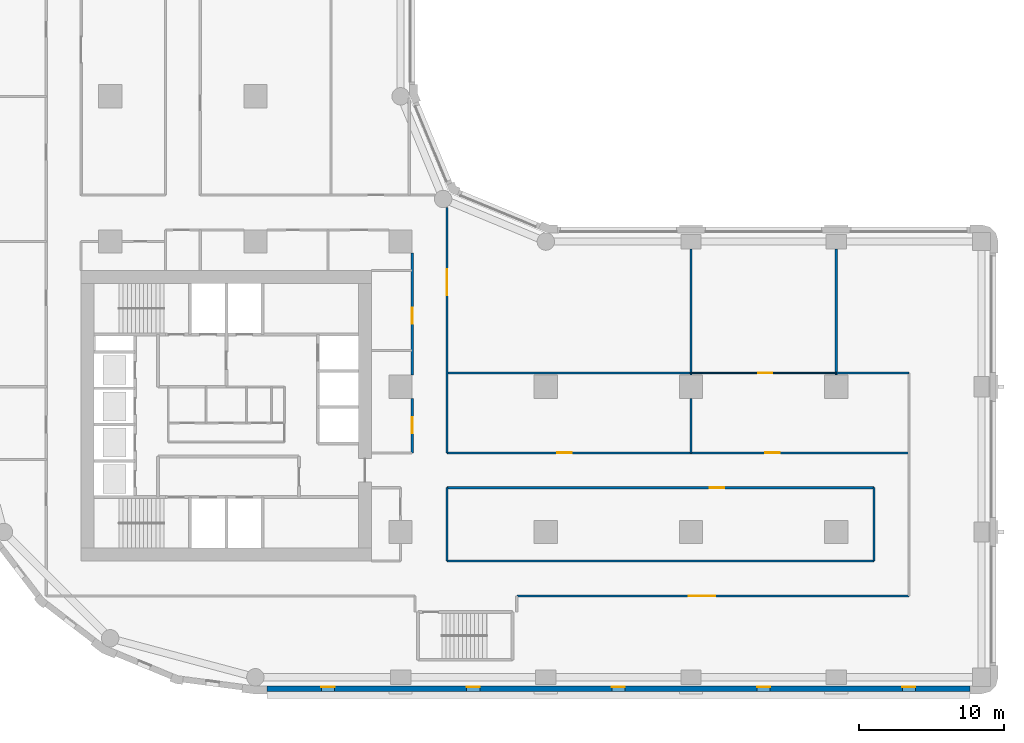
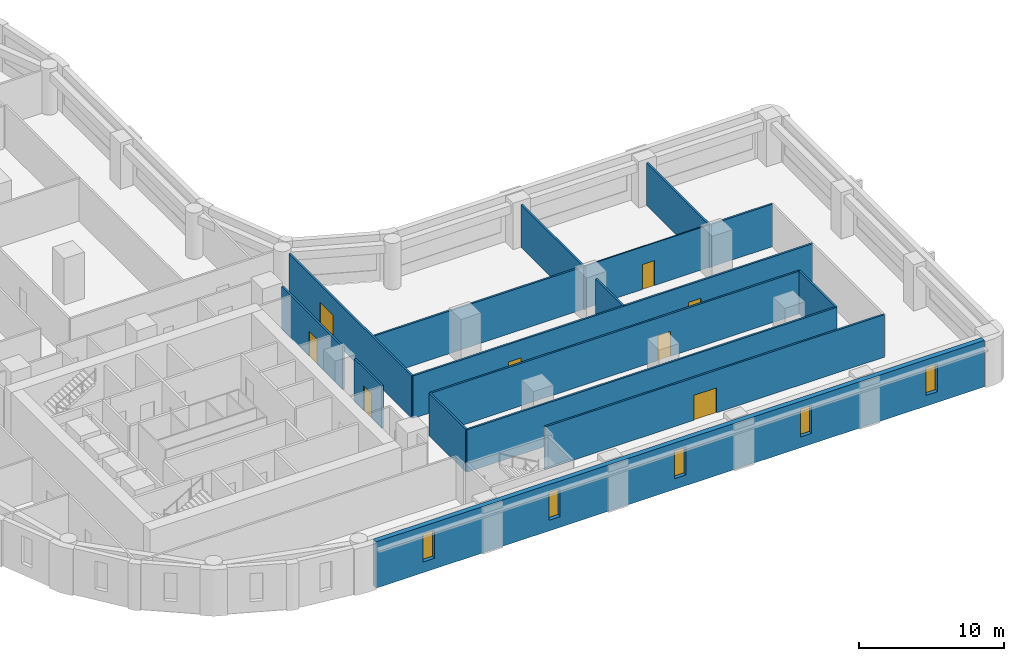
# One storey, part 4 of 10: 16 walls, 8 doors, 5 windows, 13 openings.
"""IFC4 building model written with IfcOpenShell, lengths in metres."""

from ifc_helpers import new_model, si_unit, direction, frame, frame_2d, origin, place, context, subcontext, project, spatial, rectangle, extrude, material, layer, layer_set, type_object, element, fill, save


model = new_model("IFC4")

# Units and contexts
model_context = context("Model", 3, precision=1e-05, world=origin(), true_north=direction((0.0, 1.0)))
body_context = subcontext(model_context, "Body", "Model", "MODEL_VIEW")
ifc_project = project(units=[si_unit("LENGTHUNIT", "METRE"), si_unit("AREAUNIT", "SQUARE_METRE"), si_unit("VOLUMEUNIT", "CUBIC_METRE"), si_unit("PLANEANGLEUNIT", "RADIAN"), si_unit("MASSUNIT", "GRAM", prefix="KILO")], contexts=[model_context])

# Site, building, storey
site_placement = place(None, origin())
site = spatial("IfcSite", under=ifc_project, at=site_placement, CompositionType="ELEMENT")
building_placement = place(site_placement, origin())
building = spatial("IfcBuilding", under=site, at=building_placement, Name="Qaws Garden Tower", CompositionType="ELEMENT")
storey_placement = place(building_placement, frame((0.0, 0.0, 12.0)))
storey = spatial("IfcBuildingStorey", under=building, at=storey_placement, Name="L02", CompositionType="ELEMENT", Elevation=12.0)

# Wall, openings, windows
ifc_material_1 = material(Name="Clay facing brick masonry", Category="masonry")
ifc_layer_1 = layer(ifc_material_1, 0.39990234375)
ifc_layer_set_1 = layer_set([ifc_layer_1], Name="Clay facing brick masonry")
wall_type_1 = type_object("IfcWallType", Name="Brick infill wall 400", PredefinedType="SOLIDWALL", material=ifc_layer_set_1)
wall_1_placement = place(storey_placement, frame((20.800048828125, -0.800048828125, 0.0), z_axis=(0.0, 0.0, 1.0), x_axis=(1.0, 0.0, 0.0)))
wall_1 = element("IfcWall", 1, at=wall_1_placement, inside=storey, type_object=wall_type_1, Name="E-L02-infill-00", PredefinedType="SOLIDWALL", context=body_context, shape_type="SweptSolid", body=[
    extrude(rectangle(XDim=48.39990234375, YDim=0.39990234375, at=frame_2d((24.199951171875, 0.0))), origin(), (0.0, 0.0, 1.0), 3.89990234375),
])
opening_1_placement = place(wall_1_placement, frame((3.75, 0.0, 0.89990234375)))
opening_1 = element("IfcOpeningElement", 2, at=opening_1_placement, cuts=wall_1, Name="Opening W09", PredefinedType="OPENING", context=body_context, shape_type="SweptSolid", body=[
    extrude(rectangle(XDim=0.89990234375, YDim=2.35009765625, at=frame_2d((0.449951171875, 1.175048828125))), frame((0.0, 0.2099609375, 0.0), z_axis=(0.0, -1.0, 0.0), x_axis=(1.0, 0.0, 0.0)), (0.0, 0.0, 1.0), 0.419921875),
])
opening_2_placement = place(wall_1_placement, frame((13.75, 0.0, 0.89990234375)))
opening_2 = element("IfcOpeningElement", 3, at=opening_2_placement, cuts=wall_1, Name="Opening W09", PredefinedType="OPENING", context=body_context, shape_type="SweptSolid", body=[
    extrude(rectangle(XDim=0.89990234375, YDim=2.35009765625, at=frame_2d((0.449951171875, 1.175048828125))), frame((0.0, 0.2099609375, 0.0), z_axis=(0.0, -1.0, 0.0), x_axis=(1.0, 0.0, 0.0)), (0.0, 0.0, 1.0), 0.419921875),
])
opening_3_placement = place(wall_1_placement, frame((23.75, 0.0, 0.89990234375)))
opening_3 = element("IfcOpeningElement", 4, at=opening_3_placement, cuts=wall_1, Name="Opening W09", PredefinedType="OPENING", context=body_context, shape_type="SweptSolid", body=[
    extrude(rectangle(XDim=0.89990234375, YDim=2.35009765625, at=frame_2d((0.449951171875, 1.175048828125))), frame((0.0, 0.2099609375, 0.0), z_axis=(0.0, -1.0, 0.0), x_axis=(1.0, 0.0, 0.0)), (0.0, 0.0, 1.0), 0.419921875),
])
opening_4_placement = place(wall_1_placement, frame((33.75, 0.0, 0.89990234375)))
opening_4 = element("IfcOpeningElement", 5, at=opening_4_placement, cuts=wall_1, Name="Opening W09", PredefinedType="OPENING", context=body_context, shape_type="SweptSolid", body=[
    extrude(rectangle(XDim=0.89990234375, YDim=2.35009765625, at=frame_2d((0.449951171875, 1.175048828125))), frame((0.0, 0.2099609375, 0.0), z_axis=(0.0, -1.0, 0.0), x_axis=(1.0, 0.0, 0.0)), (0.0, 0.0, 1.0), 0.419921875),
])
opening_5_placement = place(wall_1_placement, frame((43.75, 0.0, 0.89990234375)))
opening_5 = element("IfcOpeningElement", 6, at=opening_5_placement, cuts=wall_1, Name="Opening W09", PredefinedType="OPENING", context=body_context, shape_type="SweptSolid", body=[
    extrude(rectangle(XDim=0.89990234375, YDim=2.35009765625, at=frame_2d((0.449951171875, 1.175048828125))), frame((0.0, 0.2099609375, 0.0), z_axis=(0.0, -1.0, 0.0), x_axis=(1.0, 0.0, 0.0)), (0.0, 0.0, 1.0), 0.419921875),
])
ifc_material_2 = material(Name="Aluminium framed window, clear glazing", Category="aluminium")
window_type = type_object("IfcWindowType", Name="Slit window 900 x 2350", PartitioningType="SINGLE_PANEL", PredefinedType="WINDOW", material=ifc_material_2)
window_1_placement = place(opening_1_placement, origin())
window_1 = element("IfcWindow", 7, at=window_1_placement, inside=storey, type_object=window_type, Name="E-L02-window-00-0", OverallHeight=2.35009765625, OverallWidth=0.89990234375, PartitioningType="SINGLE_PANEL", PredefinedType="WINDOW", context=body_context, shape_type="SweptSolid", body=[
    extrude(rectangle(XDim=0.89990234375, YDim=2.35009765625, at=frame_2d((0.449951171875, 1.175048828125))), frame((0.0, 0.159912109375, 0.0), z_axis=(0.0, -1.0, 0.0), x_axis=(1.0, 0.0, 0.0)), (0.0, 0.0, 1.0), 0.06005859375),
])
fill(opening_1, window_1)
window_2_placement = place(opening_2_placement, origin())
window_2 = element("IfcWindow", 8, at=window_2_placement, inside=storey, type_object=window_type, Name="E-L02-window-01-0", OverallHeight=2.35009765625, OverallWidth=0.89990234375, PartitioningType="SINGLE_PANEL", PredefinedType="WINDOW", context=body_context, shape_type="SweptSolid", body=[
    extrude(rectangle(XDim=0.89990234375, YDim=2.35009765625, at=frame_2d((0.449951171875, 1.175048828125))), frame((0.0, 0.159912109375, 0.0), z_axis=(0.0, -1.0, 0.0), x_axis=(1.0, 0.0, 0.0)), (0.0, 0.0, 1.0), 0.06005859375),
])
fill(opening_2, window_2)
window_3_placement = place(opening_3_placement, origin())
window_3 = element("IfcWindow", 9, at=window_3_placement, inside=storey, type_object=window_type, Name="E-L02-window-02-0", OverallHeight=2.35009765625, OverallWidth=0.89990234375, PartitioningType="SINGLE_PANEL", PredefinedType="WINDOW", context=body_context, shape_type="SweptSolid", body=[
    extrude(rectangle(XDim=0.89990234375, YDim=2.35009765625, at=frame_2d((0.449951171875, 1.175048828125))), frame((0.0, 0.159912109375, 0.0), z_axis=(0.0, -1.0, 0.0), x_axis=(1.0, 0.0, 0.0)), (0.0, 0.0, 1.0), 0.06005859375),
])
fill(opening_3, window_3)
window_4_placement = place(opening_4_placement, origin())
window_4 = element("IfcWindow", 10, at=window_4_placement, inside=storey, type_object=window_type, Name="E-L02-window-03-0", OverallHeight=2.35009765625, OverallWidth=0.89990234375, PartitioningType="SINGLE_PANEL", PredefinedType="WINDOW", context=body_context, shape_type="SweptSolid", body=[
    extrude(rectangle(XDim=0.89990234375, YDim=2.35009765625, at=frame_2d((0.449951171875, 1.175048828125))), frame((0.0, 0.159912109375, 0.0), z_axis=(0.0, -1.0, 0.0), x_axis=(1.0, 0.0, 0.0)), (0.0, 0.0, 1.0), 0.06005859375),
])
fill(opening_4, window_4)
window_5_placement = place(opening_5_placement, origin())
window_5 = element("IfcWindow", 11, at=window_5_placement, inside=storey, type_object=window_type, Name="E-L02-window-04-0", OverallHeight=2.35009765625, OverallWidth=0.89990234375, PartitioningType="SINGLE_PANEL", PredefinedType="WINDOW", context=body_context, shape_type="SweptSolid", body=[
    extrude(rectangle(XDim=0.89990234375, YDim=2.35009765625, at=frame_2d((0.449951171875, 1.175048828125))), frame((0.0, 0.159912109375, 0.0), z_axis=(0.0, -1.0, 0.0), x_axis=(1.0, 0.0, 0.0)), (0.0, 0.0, 1.0), 0.06005859375),
])
fill(opening_5, window_5)

# Wall, opening, door
ifc_material_3 = material(Name="Gypsum board partition")
ifc_layer_2 = layer(ifc_material_3, 0.10009765625)
ifc_layer_set_2 = layer_set([ifc_layer_2], Name="Gypsum board partition")
wall_type_2 = type_object("IfcWallType", Name="PARTITION 100", PredefinedType="PARTITIONING", material=ifc_layer_set_2)
wall_2_placement = place(storey_placement, frame((50.0, 20.949951171875, 0.0), z_axis=(0.0, 0.0, 1.0), x_axis=(1.0, 0.0, 0.0)))
wall_2 = element("IfcWall", 12, at=wall_2_placement, inside=storey, type_object=wall_type_2, Name="O-L02-wall-001", PredefinedType="PARTITIONING", context=body_context, shape_type="SweptSolid", body=[
    extrude(rectangle(XDim=10.0, YDim=0.10009765625, at=frame_2d((5.0, 0.0))), origin(), (0.0, 0.0, 1.0), 3.580078125),
])
opening_6_placement = place(wall_2_placement, frame((4.625, 0.0, 0.0)))
opening_6 = element("IfcOpeningElement", 13, at=opening_6_placement, cuts=wall_2, Name="Opening A126", PredefinedType="OPENING", context=body_context, shape_type="SweptSolid", body=[
    extrude(rectangle(XDim=0.949951171875, YDim=2.10009765625, at=frame_2d((0.47509765625, 1.050048828125))), frame((0.0, 0.06005859375, 0.0), z_axis=(0.0, -1.0, 0.0), x_axis=(1.0, 0.0, 0.0)), (0.0, 0.0, 1.0), 0.1201171875),
])
ifc_material_4 = material(Name="Timber and glass door leaf", Category="wood")
door_type_1 = type_object("IfcDoorType", Name="GLAZED DOOR 950 X 2100", OperationType="SINGLE_SWING_LEFT", PredefinedType="DOOR", material=ifc_material_4)
door_1_placement = place(opening_6_placement, frame((0.949951171875, 0.0, 0.0), z_axis=(0.0, 0.0, 1.0), x_axis=(-1.0, 0.0, 0.0)))
door_1 = element("IfcDoor", 14, at=door_1_placement, inside=storey, type_object=door_type_1, Name="O-L02-door-026", OperationType="SINGLE_SWING_RIGHT", OverallHeight=2.10009765625, OverallWidth=0.949951171875, PredefinedType="DOOR", context=body_context, shape_type="SweptSolid", body=[
    extrude(rectangle(XDim=0.949951171875, YDim=2.10009765625, at=frame_2d((0.47509765625, 1.050048828125))), frame((0.0, 0.02490234375, 0.0), z_axis=(0.0, -1.0, 0.0), x_axis=(1.0, 0.0, 0.0)), (0.0, 0.0, 1.0), 0.050048828125),
])
fill(opening_6, door_1)

ifc_material_5 = material(Name="Gypsum board partition")
ifc_layer_3 = layer(ifc_material_5, 0.14990234375)
ifc_layer_set_3 = layer_set([ifc_layer_3], Name="Gypsum board partition")
wall_type_3 = type_object("IfcWallType", Name="PARTITION 150 EI 60", PredefinedType="PARTITIONING", material=ifc_layer_set_3)
wall_3_placement = place(storey_placement, frame((30.800048828125, 15.449951171875, 0.0), z_axis=(0.0, 0.0, 1.0), x_axis=(0.0, 1.0, 0.0)))
wall_3 = element("IfcWall", 15, at=wall_3_placement, inside=storey, type_object=wall_type_3, Name="O-L02-wall-017", PredefinedType="PARTITIONING", context=body_context, shape_type="SweptSolid", body=[
    extrude(rectangle(XDim=3.75, YDim=0.14990234375, at=frame_2d((1.875, 0.0))), origin(), (0.0, 0.0, 1.0), 3.580078125),
])
opening_7_placement = place(wall_3_placement, frame((1.35009765625, 0.0, 0.0)))
opening_7 = element("IfcOpeningElement", 16, at=opening_7_placement, cuts=wall_3, Name="Opening A105", PredefinedType="OPENING", context=body_context, shape_type="SweptSolid", body=[
    extrude(rectangle(XDim=1.10009765625, YDim=2.10009765625, at=frame_2d((0.550048828125, 1.050048828125))), frame((0.0, 0.0849609375, 0.0), z_axis=(0.0, -1.0, 0.0), x_axis=(1.0, 0.0, 0.0)), (0.0, 0.0, 1.0), 0.169921875),
])
ifc_material_6 = material(Name="Timber door leaf", Category="wood")
door_type_2 = type_object("IfcDoorType", Name="SERVICE ROOM DOOR 1100 X 2100", OperationType="SINGLE_SWING_LEFT", PredefinedType="DOOR", material=ifc_material_6)
door_2_placement = place(opening_7_placement, origin())
door_2 = element("IfcDoor", 17, at=door_2_placement, inside=storey, type_object=door_type_2, Name="O-L02-door-005", OperationType="SINGLE_SWING_RIGHT", OverallHeight=2.10009765625, OverallWidth=1.10009765625, PredefinedType="DOOR", context=body_context, shape_type="SweptSolid", body=[
    extrude(rectangle(XDim=1.10009765625, YDim=2.10009765625, at=frame_2d((0.550048828125, 1.050048828125))), frame((0.0, 0.02490234375, 0.0), z_axis=(0.0, -1.0, 0.0), x_axis=(1.0, 0.0, 0.0)), (0.0, 0.0, 1.0), 0.050048828125),
])
fill(opening_7, door_2)

wall_4_placement = place(storey_placement, frame((30.800048828125, 20.800048828125, 0.0), z_axis=(0.0, 0.0, 1.0), x_axis=(0.0, 1.0, 0.0)))
wall_4 = element("IfcWall", 18, at=wall_4_placement, inside=storey, type_object=wall_type_3, Name="O-L02-wall-018", PredefinedType="PARTITIONING", context=body_context, shape_type="SweptSolid", body=[
    extrude(rectangle(XDim=8.39990234375, YDim=0.14990234375, at=frame_2d((4.199951171875, 0.0))), origin(), (0.0, 0.0, 1.0), 3.580078125),
])
opening_8_placement = place(wall_4_placement, frame((3.550048828125, 0.0, 0.0)))
opening_8 = element("IfcOpeningElement", 19, at=opening_8_placement, cuts=wall_4, Name="Opening A106", PredefinedType="OPENING", context=body_context, shape_type="SweptSolid", body=[
    extrude(rectangle(XDim=1.10009765625, YDim=2.10009765625, at=frame_2d((0.550048828125, 1.050048828125))), frame((0.0, 0.0849609375, 0.0), z_axis=(0.0, -1.0, 0.0), x_axis=(1.0, 0.0, 0.0)), (0.0, 0.0, 1.0), 0.169921875),
])
door_3_placement = place(opening_8_placement, origin())
door_3 = element("IfcDoor", 20, at=door_3_placement, inside=storey, type_object=door_type_2, Name="O-L02-door-006", OperationType="SINGLE_SWING_RIGHT", OverallHeight=2.10009765625, OverallWidth=1.10009765625, PredefinedType="DOOR", context=body_context, shape_type="SweptSolid", body=[
    extrude(rectangle(XDim=1.10009765625, YDim=2.10009765625, at=frame_2d((0.550048828125, 1.050048828125))), frame((0.0, 0.02490234375, 0.0), z_axis=(0.0, -1.0, 0.0), x_axis=(1.0, 0.0, 0.0)), (0.0, 0.0, 1.0), 0.050048828125),
])
fill(opening_8, door_3)

# Wall
wall_5_placement = place(storey_placement, frame((33.199951171875, 8.0, 0.0), z_axis=(0.0, 0.0, 1.0), x_axis=(0.0, 1.0, 0.0)))
element("IfcWall", 21, at=wall_5_placement, inside=storey, type_object=wall_type_3, Name="O-L02-wall-020", PredefinedType="PARTITIONING", context=body_context, shape_type="SweptSolid", body=[
    extrude(rectangle(XDim=5.050048828125, YDim=0.14990234375, at=frame_2d((2.52490234375, 0.0))), origin(), (0.0, 0.0, 1.0), 3.580078125),
])

# Wall, opening, door
wall_6_placement = place(storey_placement, frame((33.199951171875, 15.449951171875, 0.0), z_axis=(0.0, 0.0, 1.0), x_axis=(0.0, 1.0, 0.0)))
wall_6 = element("IfcWall", 22, at=wall_6_placement, inside=storey, type_object=wall_type_3, Name="O-L02-wall-021", PredefinedType="PARTITIONING", context=body_context, shape_type="SweptSolid", body=[
    extrude(rectangle(XDim=16.912109375, YDim=0.14990234375, at=frame_2d((8.4560546875, 0.0))), origin(), (0.0, 0.0, 1.0), 3.580078125),
])
opening_9_placement = place(wall_6_placement, frame((10.85009765625, 0.0, 0.0)))
opening_9 = element("IfcOpeningElement", 23, at=opening_9_placement, cuts=wall_6, Name="Opening A103", PredefinedType="OPENING", context=body_context, shape_type="SweptSolid", body=[
    extrude(rectangle(XDim=1.800048828125, YDim=2.10009765625, at=frame_2d((0.89990234375, 1.050048828125))), frame((0.0, 0.0849609375, 0.0), z_axis=(0.0, -1.0, 0.0), x_axis=(1.0, 0.0, 0.0)), (0.0, 0.0, 1.0), 0.169921875),
])
ifc_material_7 = material(Name="Timber door leaf", Category="wood")
door_type_3 = type_object("IfcDoorType", Name="DOUBLE DOOR 1800 X 2100", OperationType="DOUBLE_DOOR_SINGLE_SWING", PredefinedType="DOOR", material=ifc_material_7)
door_4_placement = place(opening_9_placement, frame((1.800048828125, 0.0, 0.0), z_axis=(0.0, 0.0, 1.0), x_axis=(-1.0, 0.0, 0.0)))
door_4 = element("IfcDoor", 24, at=door_4_placement, inside=storey, type_object=door_type_3, Name="O-L02-door-003", OperationType="DOUBLE_DOOR_SINGLE_SWING", OverallHeight=2.10009765625, OverallWidth=1.800048828125, PredefinedType="DOOR", context=body_context, shape_type="SweptSolid", body=[
    extrude(rectangle(XDim=1.800048828125, YDim=2.10009765625, at=frame_2d((0.89990234375, 1.050048828125))), frame((0.0, 0.02490234375, 0.0), z_axis=(0.0, -1.0, 0.0), x_axis=(1.0, 0.0, 0.0)), (0.0, 0.0, 1.0), 0.050048828125),
])
fill(opening_9, door_4)

# Walls
wall_7_placement = place(storey_placement, frame((50.0, 15.449951171875, 0.0), z_axis=(0.0, 0.0, 1.0), x_axis=(0.0, 1.0, 0.0)))
element("IfcWall", 25, at=wall_7_placement, inside=storey, type_object=wall_type_3, Name="O-L02-wall-023", PredefinedType="PARTITIONING", context=body_context, shape_type="SweptSolid", body=[
    extrude(rectangle(XDim=3.75, YDim=0.14990234375, at=frame_2d((1.875, 0.0))), origin(), (0.0, 0.0, 1.0), 3.580078125),
])
for number, where, z_axis, x_axis, name in (
    (26, (50.0, 20.800048828125, 0.0), (0.0, 0.0, 1.0), (0.0, 1.0, 0.0), "O-L02-wall-024"),
    (27, (60.0, 20.800048828125, 0.0), (0.0, 0.0, 1.0), (0.0, 1.0, 0.0), "O-L02-wall-025"),
):
    element("IfcWall", number, at=place(storey_placement, frame(where, z_axis=z_axis, x_axis=x_axis)), inside=storey, type_object=wall_type_3, Name=name, PredefinedType="PARTITIONING", context=body_context, shape_type="SweptSolid", body=[
        extrude(rectangle(XDim=8.699951171875, YDim=0.14990234375, at=frame_2d((4.35009765625, 0.0))), origin(), (0.0, 0.0, 1.0), 3.580078125),
    ])
wall_8_placement = place(storey_placement, frame((62.60009765625, 8.0, 0.0), z_axis=(0.0, 0.0, 1.0), x_axis=(0.0, 1.0, 0.0)))
element("IfcWall", 28, at=wall_8_placement, inside=storey, type_object=wall_type_3, Name="O-L02-wall-026", PredefinedType="PARTITIONING", context=body_context, shape_type="SweptSolid", body=[
    extrude(rectangle(XDim=5.050048828125, YDim=0.14990234375, at=frame_2d((2.52490234375, 0.0))), origin(), (0.0, 0.0, 1.0), 3.580078125),
])

# Wall, opening, door
wall_9_placement = place(storey_placement, frame((38.0, 5.60009765625, 0.0), z_axis=(0.0, 0.0, 1.0), x_axis=(1.0, 0.0, 0.0)))
wall_9 = element("IfcWall", 29, at=wall_9_placement, inside=storey, type_object=wall_type_3, Name="O-L02-wall-029", PredefinedType="PARTITIONING", context=body_context, shape_type="SweptSolid", body=[
    extrude(rectangle(XDim=27.0, YDim=0.14990234375, at=frame_2d((13.5, 0.0))), origin(), (0.0, 0.0, 1.0), 3.580078125),
])
opening_10_placement = place(wall_9_placement, frame((11.85009765625, 0.0, 0.0)))
opening_10 = element("IfcOpeningElement", 30, at=opening_10_placement, cuts=wall_9, Name="Opening A122", PredefinedType="OPENING", context=body_context, shape_type="SweptSolid", body=[
    extrude(rectangle(XDim=1.800048828125, YDim=2.10009765625, at=frame_2d((0.89990234375, 1.050048828125))), frame((0.0, 0.0849609375, 0.0), z_axis=(0.0, -1.0, 0.0), x_axis=(1.0, 0.0, 0.0)), (0.0, 0.0, 1.0), 0.169921875),
])
door_5_placement = place(opening_10_placement, frame((1.800048828125, 0.0, 0.0), z_axis=(0.0, 0.0, 1.0), x_axis=(-1.0, 0.0, 0.0)))
door_5 = element("IfcDoor", 31, at=door_5_placement, inside=storey, type_object=door_type_3, Name="O-L02-door-022", OperationType="DOUBLE_DOOR_SINGLE_SWING", OverallHeight=2.10009765625, OverallWidth=1.800048828125, PredefinedType="DOOR", context=body_context, shape_type="SweptSolid", body=[
    extrude(rectangle(XDim=1.800048828125, YDim=2.10009765625, at=frame_2d((0.89990234375, 1.050048828125))), frame((0.0, 0.02490234375, 0.0), z_axis=(0.0, -1.0, 0.0), x_axis=(1.0, 0.0, 0.0)), (0.0, 0.0, 1.0), 0.050048828125),
])
fill(opening_10, door_5)

# Wall
wall_10_placement = place(storey_placement, frame((33.199951171875, 8.0, 0.0), z_axis=(0.0, 0.0, 1.0), x_axis=(1.0, 0.0, 0.0)))
element("IfcWall", 32, at=wall_10_placement, inside=storey, type_object=wall_type_3, Name="O-L02-wall-031", PredefinedType="PARTITIONING", context=body_context, shape_type="SweptSolid", body=[
    extrude(rectangle(XDim=29.400146484375, YDim=0.14990234375, at=frame_2d((14.7001953125, 0.0))), origin(), (0.0, 0.0, 1.0), 3.580078125),
])

# Wall, opening, door
wall_11_placement = place(storey_placement, frame((33.199951171875, 13.050048828125, 0.0), z_axis=(0.0, 0.0, 1.0), x_axis=(1.0, 0.0, 0.0)))
wall_11 = element("IfcWall", 33, at=wall_11_placement, inside=storey, type_object=wall_type_3, Name="O-L02-wall-033", PredefinedType="PARTITIONING", context=body_context, shape_type="SweptSolid", body=[
    extrude(rectangle(XDim=29.400146484375, YDim=0.14990234375, at=frame_2d((14.7001953125, 0.0))), origin(), (0.0, 0.0, 1.0), 3.580078125),
])
opening_11_placement = place(wall_11_placement, frame((18.10009765625, 0.0, 0.0)))
opening_11 = element("IfcOpeningElement", 34, at=opening_11_placement, cuts=wall_11, Name="Opening A123", PredefinedType="OPENING", context=body_context, shape_type="SweptSolid", body=[
    extrude(rectangle(XDim=1.0, YDim=2.10009765625, at=frame_2d((0.5, 1.050048828125))), frame((0.0, 0.0849609375, 0.0), z_axis=(0.0, -1.0, 0.0), x_axis=(1.0, 0.0, 0.0)), (0.0, 0.0, 1.0), 0.169921875),
])
ifc_material_8 = material(Name="Timber door leaf", Category="wood")
door_type_4 = type_object("IfcDoorType", Name="TENANCY ENTRANCE DOOR 1000 X 2100", OperationType="SINGLE_SWING_LEFT", PredefinedType="DOOR", material=ifc_material_8)
door_6_placement = place(opening_11_placement, frame((1.0, 0.0, 0.0), z_axis=(0.0, 0.0, 1.0), x_axis=(-1.0, 0.0, 0.0)))
door_6 = element("IfcDoor", 35, at=door_6_placement, inside=storey, type_object=door_type_4, Name="O-L02-door-023", OperationType="SINGLE_SWING_RIGHT", OverallHeight=2.10009765625, OverallWidth=1.0, PredefinedType="DOOR", context=body_context, shape_type="SweptSolid", body=[
    extrude(rectangle(XDim=1.0, YDim=2.10009765625, at=frame_2d((0.5, 1.050048828125))), frame((0.0, 0.02490234375, 0.0), z_axis=(0.0, -1.0, 0.0), x_axis=(1.0, 0.0, 0.0)), (0.0, 0.0, 1.0), 0.050048828125),
])
fill(opening_11, door_6)

# Wall, openings, doors
wall_12_placement = place(storey_placement, frame((33.199951171875, 15.449951171875, 0.0), z_axis=(0.0, 0.0, 1.0), x_axis=(1.0, 0.0, 0.0)))
wall_12 = element("IfcWall", 36, at=wall_12_placement, inside=storey, type_object=wall_type_3, Name="O-L02-wall-036", PredefinedType="PARTITIONING", context=body_context, shape_type="SweptSolid", body=[
    extrude(rectangle(XDim=31.800048828125, YDim=0.14990234375, at=frame_2d((15.89990234375, 0.0))), origin(), (0.0, 0.0, 1.0), 3.580078125),
])
opening_12_placement = place(wall_12_placement, frame((7.60009765625, 0.0, 0.0)))
opening_12 = element("IfcOpeningElement", 37, at=opening_12_placement, cuts=wall_12, Name="Opening A124", PredefinedType="OPENING", context=body_context, shape_type="SweptSolid", body=[
    extrude(rectangle(XDim=1.0, YDim=2.10009765625, at=frame_2d((0.5, 1.050048828125))), frame((0.0, 0.0849609375, 0.0), z_axis=(0.0, -1.0, 0.0), x_axis=(1.0, 0.0, 0.0)), (0.0, 0.0, 1.0), 0.169921875),
])
opening_13_placement = place(wall_12_placement, frame((21.89990234375, 0.0, 0.0)))
opening_13 = element("IfcOpeningElement", 38, at=opening_13_placement, cuts=wall_12, Name="Opening A125", PredefinedType="OPENING", context=body_context, shape_type="SweptSolid", body=[
    extrude(rectangle(XDim=1.0, YDim=2.10009765625, at=frame_2d((0.5, 1.050048828125))), frame((0.0, 0.0849609375, 0.0), z_axis=(0.0, -1.0, 0.0), x_axis=(1.0, 0.0, 0.0)), (0.0, 0.0, 1.0), 0.169921875),
])
door_7_placement = place(opening_12_placement, origin())
door_7 = element("IfcDoor", 39, at=door_7_placement, inside=storey, type_object=door_type_4, Name="O-L02-door-024", OperationType="SINGLE_SWING_LEFT", OverallHeight=2.10009765625, OverallWidth=1.0, PredefinedType="DOOR", context=body_context, shape_type="SweptSolid", body=[
    extrude(rectangle(XDim=1.0, YDim=2.10009765625, at=frame_2d((0.5, 1.050048828125))), frame((0.0, 0.02490234375, 0.0), z_axis=(0.0, -1.0, 0.0), x_axis=(1.0, 0.0, 0.0)), (0.0, 0.0, 1.0), 0.050048828125),
])
fill(opening_12, door_7)
door_8_placement = place(opening_13_placement, origin())
door_8 = element("IfcDoor", 40, at=door_8_placement, inside=storey, type_object=door_type_4, Name="O-L02-door-025", OperationType="SINGLE_SWING_LEFT", OverallHeight=2.10009765625, OverallWidth=1.0, PredefinedType="DOOR", context=body_context, shape_type="SweptSolid", body=[
    extrude(rectangle(XDim=1.0, YDim=2.10009765625, at=frame_2d((0.5, 1.050048828125))), frame((0.0, 0.02490234375, 0.0), z_axis=(0.0, -1.0, 0.0), x_axis=(1.0, 0.0, 0.0)), (0.0, 0.0, 1.0), 0.050048828125),
])
fill(opening_13, door_8)

# Walls
wall_13_placement = place(storey_placement, frame((33.199951171875, 20.949951171875, 0.0), z_axis=(0.0, 0.0, 1.0), x_axis=(1.0, 0.0, 0.0)))
element("IfcWall", 41, at=wall_13_placement, inside=storey, type_object=wall_type_3, Name="O-L02-wall-038", PredefinedType="PARTITIONING", context=body_context, shape_type="SweptSolid", body=[
    extrude(rectangle(XDim=16.800048828125, YDim=0.14990234375, at=frame_2d((8.39990234375, 0.0))), origin(), (0.0, 0.0, 1.0), 3.580078125),
])
wall_14_placement = place(storey_placement, frame((60.0, 20.949951171875, 0.0), z_axis=(0.0, 0.0, 1.0), x_axis=(1.0, 0.0, 0.0)))
element("IfcWall", 42, at=wall_14_placement, inside=storey, type_object=wall_type_3, Name="O-L02-wall-039", PredefinedType="PARTITIONING", context=body_context, shape_type="SweptSolid", body=[
    extrude(rectangle(XDim=5.0, YDim=0.14990234375, at=frame_2d((2.5, 0.0))), origin(), (0.0, 0.0, 1.0), 3.580078125),
])

save(model, "model.ifc")
